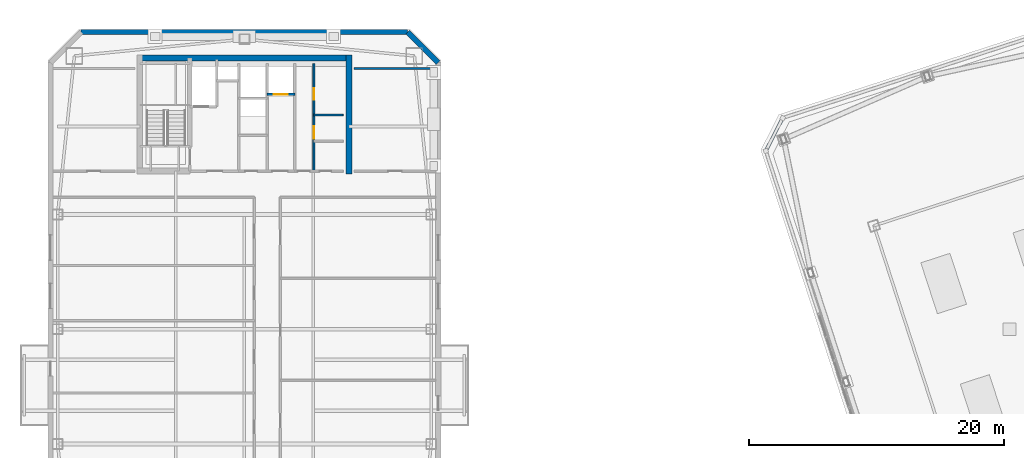
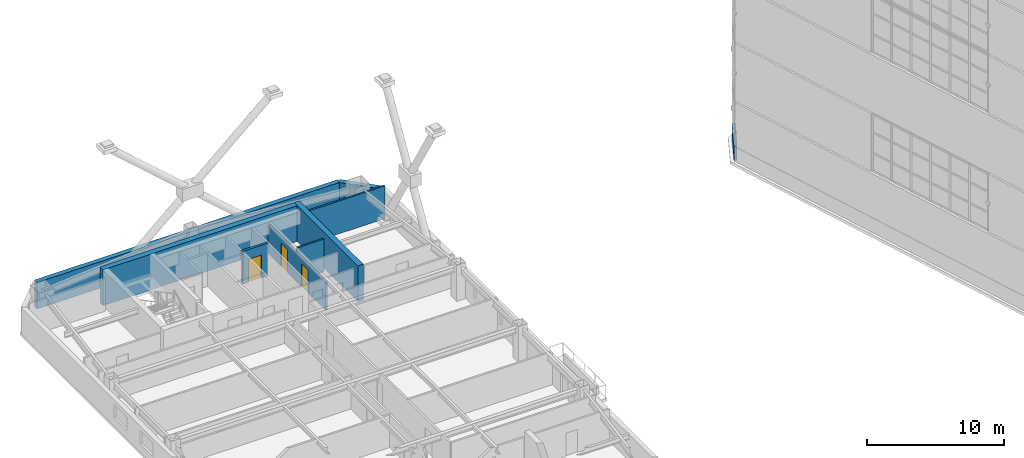
# One storey, part 50 of 56: 9 walls, 3 doors, 3 openings.
"""IFC4 building model written with IfcOpenShell, lengths in metres."""

from ifc_helpers import new_model, si_unit, direction, frame, frame_2d, origin, place, context, subcontext, project, spatial, rectangle, extrude, material, layer, layer_set, type_object, element, fill, save


model = new_model("IFC4")

# Units and contexts
model_context = context("Model", 3, precision=1e-05, world=origin(), true_north=direction((0.0, 1.0)))
body_context = subcontext(model_context, "Body", "Model", "MODEL_VIEW")
ifc_project = project(units=[si_unit("LENGTHUNIT", "METRE"), si_unit("AREAUNIT", "SQUARE_METRE"), si_unit("VOLUMEUNIT", "CUBIC_METRE"), si_unit("PLANEANGLEUNIT", "RADIAN"), si_unit("MASSUNIT", "GRAM", prefix="KILO")], contexts=[model_context])

# Site, building, storey
site_placement = place(None, origin())
site = spatial("IfcSite", under=ifc_project, at=site_placement, CompositionType="ELEMENT")
building_placement = place(site_placement, origin())
building = spatial("IfcBuilding", under=site, at=building_placement, Name="Qiaolan Cultural Towers", CompositionType="ELEMENT")
storey_placement = place(building_placement, frame((0.0, 0.0, 250.39990234375)))
storey = spatial("IfcBuildingStorey", under=building, at=storey_placement, Name="L68", CompositionType="ELEMENT", Elevation=250.39990234375)

# Walls
ifc_material_1 = material(Name="Concrete C50", Category="concrete")
ifc_layer_1 = layer(ifc_material_1, 0.449951171875)
ifc_layer_set_1 = layer_set([ifc_layer_1], Name="Concrete C50")
wall_type_1 = type_object("IfcWallType", Name="WL-CORE-450", PredefinedType="SHEAR", material=ifc_layer_set_1)
wall_1_placement = place(storey_placement, frame((21.574951171875, 55.280029296875, 0.0), z_axis=(0.0, 0.0, 1.0), x_axis=(1.0, 0.0, 0.0)))
element("IfcWall", 1, at=wall_1_placement, inside=storey, type_object=wall_type_1, Name="L68 T1-CN Outer Core Shear Wall", PredefinedType="SHEAR", context=body_context, shape_type="SweptSolid", body=[
    extrude(rectangle(XDim=16.85009765625, YDim=0.449951171875, at=frame_2d((8.425048828125, 0.0))), origin(), (0.0, 0.0, 1.0), 3.2001953125),
])
wall_2_placement = place(storey_placement, frame((38.199951171875, 46.175048828125, 0.0), z_axis=(0.0, 0.0, 1.0), x_axis=(0.0, 1.0, 0.0)))
element("IfcWall", 2, at=wall_2_placement, inside=storey, type_object=wall_type_1, Name="L68 T1-CN East Core Shear Wall", PredefinedType="SHEAR", context=body_context, shape_type="SweptSolid", body=[
    extrude(rectangle(XDim=9.329833984375, YDim=0.449951171875, at=frame_2d((4.6650390625, 0.0))), origin(), (0.0, 0.0, 1.0), 3.2001953125),
])
ifc_material_2 = material(Name="Precast Concrete C50 Honed Stone Pier", Category="masonry")
ifc_layer_2 = layer(ifc_material_2, 0.39990234375)
ifc_layer_set_2 = layer_set([ifc_layer_2], Name="Precast Concrete C50 Honed Stone Pier")
wall_type_2 = type_object("IfcWallType", Name="WL-EXT-PIER-400", PredefinedType="SOLIDWALL", material=ifc_layer_set_2)
wall_3_placement = place(storey_placement, frame((17.199951171875, 57.300048828125, 0.0), z_axis=(0.0, 0.0, 1.0), x_axis=(1.0, 0.0, 0.0)))
element("IfcWall", 3, at=wall_3_placement, inside=storey, type_object=wall_type_2, Name="L68 West Tower Precast Pier Facade Wall F3", PredefinedType="SOLIDWALL", context=body_context, shape_type="SweptSolid", body=[
    extrude(rectangle(XDim=25.60009765625, YDim=0.39990234375, at=frame_2d((12.800048828125, 0.0))), origin(), (0.0, 0.0, 1.0), 2.360107421875),
])
wall_4_placement = place(storey_placement, frame((42.800048828125, 57.300048828125, 0.0), z_axis=(0.0, 0.0, 1.0), x_axis=(0.707070815327, -0.707142745217, 0.0)))
element("IfcWall", 4, at=wall_4_placement, inside=storey, type_object=wall_type_2, Name="L68 West Tower Precast Pier Facade Wall F4", PredefinedType="SOLIDWALL", context=body_context, shape_type="SweptSolid", body=[
    extrude(rectangle(XDim=3.39404296875, YDim=0.39990234375, at=frame_2d((1.697021484375, 0.0))), origin(), (0.0, 0.0, 1.0), 2.360107421875),
])

# Wall, opening, door
ifc_material_3 = material(Name="Concrete C35 Fire Wall", Category="concrete")
ifc_layer_3 = layer(ifc_material_3, 0.199951171875)
ifc_layer_set_3 = layer_set([ifc_layer_3], Name="Concrete C35 Fire Wall")
wall_type_3 = type_object("IfcWallType", Name="WL-FIRE-200", PredefinedType="PARTITIONING", material=ifc_layer_set_3)
wall_5_placement = place(storey_placement, frame((31.780029296875, 52.419921875, 0.0), z_axis=(0.0, 0.0, 1.0), x_axis=(1.0, 0.0, 0.0)))
wall_5 = element("IfcWall", 5, at=wall_5_placement, inside=storey, type_object=wall_type_3, Name="L68 T1-CN Shuttle Lift Shaft Front", PredefinedType="PARTITIONING", context=body_context, shape_type="SweptSolid", body=[
    extrude(rectangle(XDim=2.169921875, YDim=0.199951171875, at=frame_2d((1.0849609375, 0.0))), origin(), (0.0, 0.0, 1.0), 2.925048828125),
])
opening_1_placement = place(wall_5_placement, frame((0.52001953125, 0.0, 0.0)))
opening_1 = element("IfcOpeningElement", 6, at=opening_1_placement, cuts=wall_5, Name="Opening LD-01", PredefinedType="OPENING", context=body_context, shape_type="SweptSolid", body=[
    extrude(rectangle(XDim=1.10009765625, YDim=2.050048828125, at=frame_2d((0.550048828125, 1.02490234375))), frame((0.0, 0.10986328125, 0.0), z_axis=(0.0, -1.0, 0.0), x_axis=(1.0, 0.0, 0.0)), (0.0, 0.0, 1.0), 0.219970703125),
])
ifc_material_4 = material(Name="Brushed Stainless Steel S30408 Centre-Parting Lift Landing Door", Category="steel")
door_type_1 = type_object("IfcDoorType", Name="DR-LIFT-1100", OperationType="NOTDEFINED", PredefinedType="DOOR", material=ifc_material_4)
door_1_placement = place(opening_1_placement, origin())
door_1 = element("IfcDoor", 7, at=door_1_placement, inside=storey, type_object=door_type_1, Name="L68 Sky Shuttle Lift Landing Door", OperationType="DOUBLE_DOOR_SLIDING", OverallHeight=2.050048828125, OverallWidth=1.10009765625, PredefinedType="DOOR", context=body_context, shape_type="SweptSolid", body=[
    extrude(rectangle(XDim=1.10009765625, YDim=2.050048828125, at=frame_2d((0.550048828125, 1.02490234375))), frame((0.0, 0.02490234375, 0.0), z_axis=(0.0, -1.0, 0.0), x_axis=(1.0, 0.0, 0.0)), (0.0, 0.0, 1.0), 0.050048828125),
])
fill(opening_1, door_1)

# Wall
ifc_material_5 = material(Name="Precast Concrete C45 Parapet Coping", Category="concrete")
ifc_layer_4 = layer(ifc_material_5, 0.25)
ifc_layer_set_4 = layer_set([ifc_layer_4], Name="Precast Concrete C45 Parapet Coping")
wall_type_4 = type_object("IfcWallType", Name="WL-PARAPET-250", PredefinedType="PARAPET", material=ifc_layer_set_4)
wall_6_placement = place(storey_placement, frame((72.2109375, 50.5634765625, 0.0), z_axis=(0.0, 0.0, 1.0), x_axis=(-0.454005258201, -0.890999004223, 0.0)))
element("IfcWall", 8, at=wall_6_placement, inside=storey, type_object=wall_type_4, Name="T2 Roof Perimeter Parapet Wall 6", PredefinedType="PARAPET", context=body_context, shape_type="SweptSolid", body=[
    extrude(rectangle(XDim=2.89892578125, YDim=0.25, at=frame_2d((1.449462890625, 0.0))), origin(), (0.0, 0.0, 1.0), 1.300048828125),
])

# Wall, openings, doors
ifc_material_6 = material(Name="Autoclaved Aerated Concrete Block B06", Category="concrete")
ifc_layer_5 = layer(ifc_material_6, 0.14990234375)
ifc_layer_set_5 = layer_set([ifc_layer_5], Name="Autoclaved Aerated Concrete Block B06")
wall_type_5 = type_object("IfcWallType", Name="WL-PART-150", PredefinedType="PARTITIONING", material=ifc_layer_set_5)
wall_7_placement = place(storey_placement, frame((35.449951171875, 46.39990234375, 0.0), z_axis=(0.0, 0.0, 1.0), x_axis=(0.0, 1.0, 0.0)))
wall_7 = element("IfcWall", 9, at=wall_7_placement, inside=storey, type_object=wall_type_5, Name="L68 T1-CN Sanitary Corridor Wall", PredefinedType="PARTITIONING", context=body_context, shape_type="SweptSolid", body=[
    extrude(rectangle(XDim=8.43017578125, YDim=0.14990234375, at=frame_2d((4.215087890625, 0.0))), origin(), (0.0, 0.0, 1.0), 2.51513671875),
])
opening_2_placement = place(wall_7_placement, frame((2.550048828125, 0.0, 0.0)))
opening_2 = element("IfcOpeningElement", 10, at=opening_2_placement, cuts=wall_7, Name="Opening ID-05", PredefinedType="OPENING", context=body_context, shape_type="SweptSolid", body=[
    extrude(rectangle(XDim=0.949951171875, YDim=2.050048828125, at=frame_2d((0.47509765625, 1.02490234375))), frame((0.0, 0.0849609375, 0.0), z_axis=(0.0, -1.0, 0.0), x_axis=(1.0, 0.0, 0.0)), (0.0, 0.0, 1.0), 0.169921875),
])
opening_3_placement = place(wall_7_placement, frame((5.60009765625, 0.0, 0.0)))
opening_3 = element("IfcOpeningElement", 11, at=opening_3_placement, cuts=wall_7, Name="Opening ID-06", PredefinedType="OPENING", context=body_context, shape_type="SweptSolid", body=[
    extrude(rectangle(XDim=0.89990234375, YDim=2.050048828125, at=frame_2d((0.449951171875, 1.02490234375))), frame((0.0, 0.0849609375, 0.0), z_axis=(0.0, -1.0, 0.0), x_axis=(1.0, 0.0, 0.0)), (0.0, 0.0, 1.0), 0.169921875),
])
ifc_material_7 = material(Name="Fire-Rated Laminate Core Service Door", Category="timber")
door_type_2 = type_object("IfcDoorType", Name="DR-INT-900", OperationType="NOTDEFINED", PredefinedType="DOOR", material=ifc_material_7)
door_2_placement = place(opening_3_placement, origin())
door_2 = element("IfcDoor", 12, at=door_2_placement, inside=storey, type_object=door_type_2, Name="L68 Staff Restroom Door", OperationType="SINGLE_SWING_RIGHT", OverallHeight=2.050048828125, OverallWidth=0.89990234375, PredefinedType="DOOR", context=body_context, shape_type="SweptSolid", body=[
    extrude(rectangle(XDim=0.89990234375, YDim=2.050048828125, at=frame_2d((0.449951171875, 1.02490234375))), frame((0.0, 0.02490234375, 0.0), z_axis=(0.0, -1.0, 0.0), x_axis=(1.0, 0.0, 0.0)), (0.0, 0.0, 1.0), 0.050048828125),
])
fill(opening_3, door_2)
ifc_material_8 = material(Name="Fire-Rated Laminate Accessible Core Door", Category="timber")
door_type_3 = type_object("IfcDoorType", Name="DR-INT-950", OperationType="NOTDEFINED", PredefinedType="DOOR", material=ifc_material_8)
door_3_placement = place(opening_2_placement, origin())
door_3 = element("IfcDoor", 13, at=door_3_placement, inside=storey, type_object=door_type_3, Name="L68 Accessible Washroom Door", OperationType="SINGLE_SWING_LEFT", OverallHeight=2.050048828125, OverallWidth=0.949951171875, PredefinedType="DOOR", context=body_context, shape_type="SweptSolid", body=[
    extrude(rectangle(XDim=0.949951171875, YDim=2.050048828125, at=frame_2d((0.47509765625, 1.02490234375))), frame((0.0, 0.02490234375, 0.0), z_axis=(0.0, -1.0, 0.0), x_axis=(1.0, 0.0, 0.0)), (0.0, 0.0, 1.0), 0.050048828125),
])
fill(opening_2, door_3)

# Walls
wall_8_placement = place(storey_placement, frame((35.449951171875, 50.800048828125, 0.0), z_axis=(0.0, 0.0, 1.0), x_axis=(1.0, 0.0, 0.0)))
element("IfcWall", 14, at=wall_8_placement, inside=storey, type_object=wall_type_5, Name="L68 T1-CN Restroom Split Wall", PredefinedType="PARTITIONING", context=body_context, shape_type="SweptSolid", body=[
    extrude(rectangle(XDim=2.300048828125, YDim=0.14990234375, at=frame_2d((1.14990234375, 0.0))), origin(), (0.0, 0.0, 1.0), 2.925048828125),
])
wall_9_placement = place(storey_placement, frame((38.60009765625, 54.449951171875, 0.0), z_axis=(0.0, 0.0, 1.0), x_axis=(1.0, 0.0, 0.0)))
element("IfcWall", 15, at=wall_9_placement, inside=storey, type_object=wall_type_5, Name="L68 T1 Flank Wall FLK-NE", PredefinedType="PARTITIONING", context=body_context, shape_type="SweptSolid", body=[
    extrude(rectangle(XDim=6.39990234375, YDim=0.14990234375, at=frame_2d((3.199951171875, 0.0))), origin(), (0.0, 0.0, 1.0), 2.925048828125),
])

save(model, "model.ifc")
